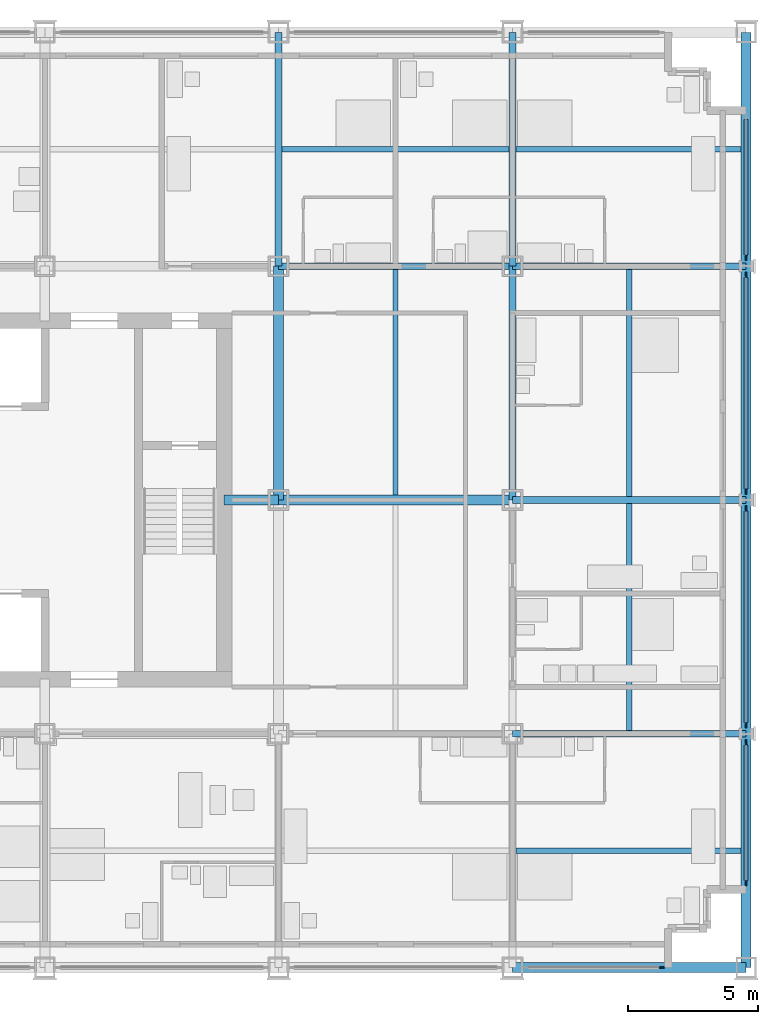
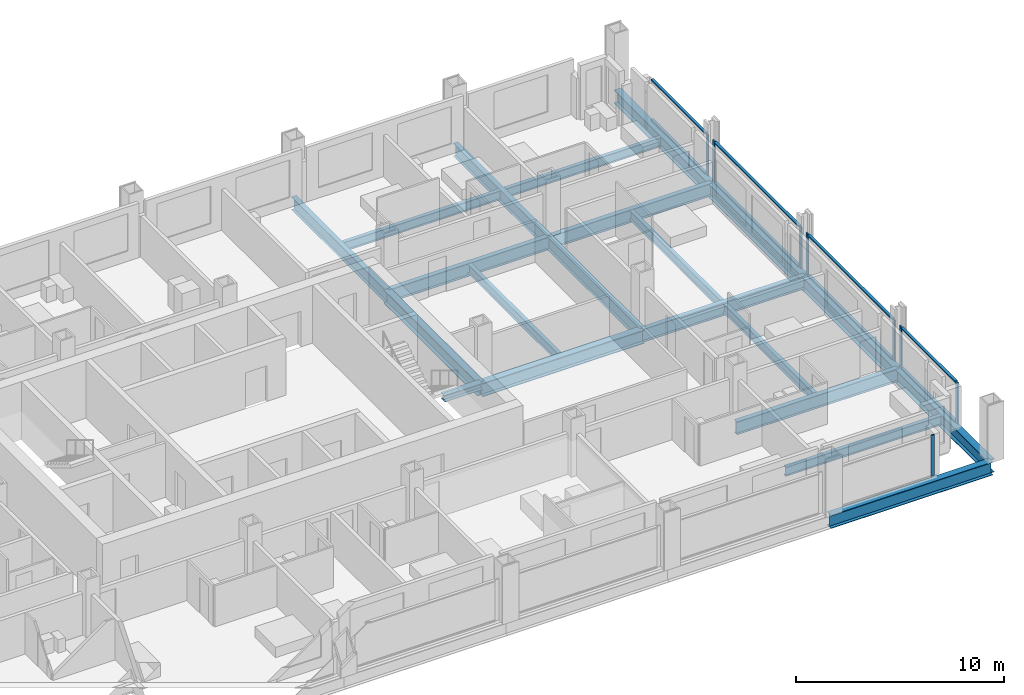
# One storey, part 6 of 18: 20 beams, 17 members, 5 elements without a shape of their own.
"""IFC4 building model written with IfcOpenShell, lengths in metres."""

from ifc_helpers import new_model, si_unit, direction, frame, origin, origin_2d, place, context, subcontext, project, spatial, rectangle, i_section, extrude, material, material_profile, profile_set, type_object, element, aggregate, save


model = new_model("IFC4")

# Units and contexts
model_context = context("Model", 3, precision=1e-05, world=origin(), true_north=direction((0.0, 1.0)))
body_context = subcontext(model_context, "Body", "Model", "MODEL_VIEW")
ifc_project = project(units=[si_unit("LENGTHUNIT", "METRE"), si_unit("AREAUNIT", "SQUARE_METRE"), si_unit("VOLUMEUNIT", "CUBIC_METRE"), si_unit("PLANEANGLEUNIT", "RADIAN"), si_unit("MASSUNIT", "GRAM", prefix="KILO")], contexts=[model_context])

# Site, building, storey
site_placement = place(None, origin())
site = spatial("IfcSite", under=ifc_project, at=site_placement, CompositionType="ELEMENT")
building_placement = place(site_placement, origin())
building = spatial("IfcBuilding", under=site, at=building_placement, Name="Loomwork Tower", CompositionType="ELEMENT")
storey_placement = place(building_placement, frame((0.0, 0.0, 65.39990234375)))
storey = spatial("IfcBuildingStorey", under=building, at=storey_placement, Name="L16", CompositionType="ELEMENT", Elevation=65.39990234375)

# Beams
ifc_material_1 = material(Name="Steel ASTM A992", Category="steel")
ifc_material_profile_1 = material_profile(ifc_material_1, i_section(OverallWidth=0.383544921875, OverallDepth=0.794921875, WebThickness=0.02099609375, FlangeThickness=0.0380859375, at=origin_2d()), Name="W30x235")
ifc_profile_set_1 = profile_set([ifc_material_profile_1], Name="Steel ASTM A992")
beam_type_1 = type_object("IfcBeamType", Name="CORE FLANK GIRDER W30x235", PredefinedType="BEAM", material=ifc_profile_set_1)
for number, where, z_axis, x_axis, name in (
    (1, (36.0, 18.0, -0.597412109375), (1.0, 0.0, 0.0), (0.0, 1.0, 0.0), "Core Flank Girder F/6-F/7 L16"),
    (2, (36.0, 18.0, -0.597412109375), (0.0, 1.0, 0.0), (-1.0, 0.0, 0.0), "Core Flank Girder F/6-G/6 L16"),
):
    element("IfcBeam", number, at=place(storey_placement, frame(where, z_axis=z_axis, x_axis=x_axis)), inside=storey, type_object=beam_type_1, Name=name, PredefinedType="BEAM", context=body_context, shape_type="SweptSolid", body=[
        extrude(i_section(OverallWidth=0.383544921875, OverallDepth=0.794921875, WebThickness=0.02099609375, FlangeThickness=0.0380859375, at=origin_2d()), origin(), (0.0, 0.0, 1.0), 9.0),
    ])

# Member
ifc_material_2 = material(Name="Steel ASTM A992", Category="steel")
ifc_material_profile_2 = material_profile(ifc_material_2, i_section(OverallWidth=0.373291015625, OverallDepth=0.373291015625, WebThickness=0.016357421875, FlangeThickness=0.026123046875, at=origin_2d()), Name="W14x132")
ifc_profile_set_2 = profile_set([ifc_material_profile_2], Name="Steel ASTM A992")
member_type_1 = type_object("IfcMemberType", Name="CORE LINK STRUT W14x132", PredefinedType="STRUT", material=ifc_profile_set_2)
member_1_placement = place(storey_placement, frame((36.0, 18.0, -0.386474609375), z_axis=(-1.0, 0.0, 0.0), x_axis=(0.0, -1.0, 0.0)))
element("IfcMember", 3, at=member_1_placement, inside=storey, type_object=member_type_1, Name="Core link strut F/6-33.900,18.000 L16", PredefinedType="STRUT", context=body_context, shape_type="SweptSolid", body=[
    extrude(i_section(OverallWidth=0.373291015625, OverallDepth=0.373291015625, WebThickness=0.016357421875, FlangeThickness=0.026123046875, at=origin_2d()), origin(), (0.0, 0.0, 1.0), 2.10009765625),
])

# Beams
ifc_material_3 = material(Name="Steel ASTM A992", Category="steel")
ifc_material_profile_3 = material_profile(ifc_material_3, i_section(OverallWidth=0.2666015625, OverallDepth=0.761962890625, WebThickness=0.014404296875, FlangeThickness=0.021484375, at=origin_2d()), Name="W30x116")
ifc_profile_set_3 = profile_set([ifc_material_profile_3], Name="Steel ASTM A992")
beam_type_2 = type_object("IfcBeamType", Name="FLOOR GIRDER W30x116", PredefinedType="BEAM", material=ifc_profile_set_3)
for number, where, z_axis, x_axis, name in (
    (4, (45.0, 9.0, -0.580810546875), (1.0, 0.0, 0.0), (0.0, 1.0, 0.0), "Floor Girder E/7-E/8 L16"),
    (5, (45.0, 18.0, -0.580810546875), (1.0, 0.0, 0.0), (0.0, 1.0, 0.0), "Floor Girder F/7-F/8 L16"),
    (6, (36.0, 27.0, -0.580810546875), (1.0, 0.0, 0.0), (0.0, 1.0, 0.0), "Floor Girder G/6-G/7 L16"),
    (7, (45.0, 27.0, -0.580810546875), (1.0, 0.0, 0.0), (0.0, 1.0, 0.0), "Floor Girder G/7-G/8 L16"),
    (8, (36.0, 27.0, -0.580810546875), (0.0, 1.0, 0.0), (-1.0, 0.0, 0.0), "Floor Girder G/6-H/6 L16"),
    (9, (45.0, 18.0, -0.580810546875), (0.0, 1.0, 0.0), (-1.0, 0.0, 0.0), "Floor Girder F/7-G/7 L16"),
    (10, (45.0, 27.0, -0.580810546875), (0.0, 1.0, 0.0), (-1.0, 0.0, 0.0), "Floor Girder G/7-H/7 L16"),
):
    element("IfcBeam", number, at=place(storey_placement, frame(where, z_axis=z_axis, x_axis=x_axis)), inside=storey, type_object=beam_type_2, Name=name, PredefinedType="BEAM", context=body_context, shape_type="SweptSolid", body=[
        extrude(i_section(OverallWidth=0.2666015625, OverallDepth=0.761962890625, WebThickness=0.014404296875, FlangeThickness=0.021484375, at=origin_2d()), origin(), (0.0, 0.0, 1.0), 9.0),
    ])
ifc_material_4 = material(Name="Steel ASTM A992", Category="steel")
ifc_material_profile_4 = material_profile(ifc_material_4, i_section(OverallWidth=0.2109375, OverallDepth=0.53857421875, WebThickness=0.011474609375, FlangeThickness=0.018798828125, at=origin_2d()), Name="W21x73")
ifc_profile_set_4 = profile_set([ifc_material_profile_4], Name="Steel ASTM A992")
beam_type_3 = type_object("IfcBeamType", Name="FLOOR JOIST W21x73", PredefinedType="JOIST", material=ifc_profile_set_4)
beam_1_placement = place(storey_placement, frame((40.5, 18.19091796875, -0.46923828125), z_axis=(0.0, 1.0, 0.0), x_axis=(-1.0, 0.0, 0.0)))
element("IfcBeam", 11, at=beam_1_placement, inside=storey, type_object=beam_type_3, Name="Floor Joist 40.500,18.000-40.500,27.000 L16", PredefinedType="JOIST", context=body_context, shape_type="SweptSolid", body=[
    extrude(i_section(OverallWidth=0.2109375, OverallDepth=0.53857421875, WebThickness=0.011474609375, FlangeThickness=0.018798828125, at=origin_2d()), origin(), (0.0, 0.0, 1.0), 8.676025390625),
])
beam_2_placement = place(storey_placement, frame((36.133056640625, 31.5, -0.46923828125), z_axis=(1.0, 0.0, 0.0), x_axis=(0.0, 1.0, 0.0)))
element("IfcBeam", 12, at=beam_2_placement, inside=storey, type_object=beam_type_3, Name="Floor Joist 36.000,31.500-45.000,31.500 L16", PredefinedType="JOIST", context=body_context, shape_type="SweptSolid", body=[
    extrude(i_section(OverallWidth=0.2109375, OverallDepth=0.53857421875, WebThickness=0.011474609375, FlangeThickness=0.018798828125, at=origin_2d()), origin(), (0.0, 0.0, 1.0), 8.73388671875),
])
beam_3_placement = place(storey_placement, frame((45.133056640625, 4.5, -0.46923828125), z_axis=(1.0, 0.0, 0.0), x_axis=(0.0, 1.0, 0.0)))
element("IfcBeam", 13, at=beam_3_placement, inside=storey, type_object=beam_type_3, Name="Floor Joist 45.000,4.500-54.000,4.500 L16", PredefinedType="JOIST", context=body_context, shape_type="SweptSolid", body=[
    extrude(i_section(OverallWidth=0.2109375, OverallDepth=0.53857421875, WebThickness=0.011474609375, FlangeThickness=0.018798828125, at=origin_2d()), origin(), (0.0, 0.0, 1.0), 8.677001953125),
])
for number, where, z_axis, x_axis, name in (
    (14, (49.5, 9.133056640625, -0.46923828125), (0.0, 1.0, 0.0), (-1.0, 0.0, 0.0), "Floor Joist 49.500,9.000-49.500,18.000 L16"),
    (15, (49.5, 18.133056640625, -0.46923828125), (0.0, 1.0, 0.0), (-1.0, 0.0, 0.0), "Floor Joist 49.500,18.000-49.500,27.000 L16"),
):
    element("IfcBeam", number, at=place(storey_placement, frame(where, z_axis=z_axis, x_axis=x_axis)), inside=storey, type_object=beam_type_3, Name=name, PredefinedType="JOIST", context=body_context, shape_type="SweptSolid", body=[
        extrude(i_section(OverallWidth=0.2109375, OverallDepth=0.53857421875, WebThickness=0.011474609375, FlangeThickness=0.018798828125, at=origin_2d()), origin(), (0.0, 0.0, 1.0), 8.73388671875),
    ])
beam_4_placement = place(storey_placement, frame((45.133056640625, 31.5, -0.46923828125), z_axis=(1.0, 0.0, 0.0), x_axis=(0.0, 1.0, 0.0)))
element("IfcBeam", 16, at=beam_4_placement, inside=storey, type_object=beam_type_3, Name="Floor Joist 45.000,31.500-54.000,31.500 L16", PredefinedType="JOIST", context=body_context, shape_type="SweptSolid", body=[
    extrude(i_section(OverallWidth=0.2109375, OverallDepth=0.53857421875, WebThickness=0.011474609375, FlangeThickness=0.018798828125, at=origin_2d()), origin(), (0.0, 0.0, 1.0), 8.677001953125),
])

# Curtain wall, member
ifc_material_5 = material(Name="Aluminium curtain wall frame", Category="aluminium")
curtain_wall_type = type_object("IfcCurtainWallType", Name="Outer skin glazing hotel", PredefinedType="NOTDEFINED", material=ifc_material_5)
curtain_wall_1_placement = place(storey_placement, origin())
curtain_wall_1 = element("IfcCurtainWall", 17, at=curtain_wall_1_placement, inside=storey, type_object=curtain_wall_type, Name="Outer skin glazing hotel cw/S-45", PredefinedType="NOTDEFINED")
ifc_material_6 = material(Name="Aluminium curtain wall frame", Category="aluminium")
ifc_material_profile_5 = material_profile(ifc_material_6, rectangle(XDim=0.06494140625, YDim=0.199951171875, at=origin_2d()), Name="AL 65x200")
ifc_profile_set_5 = profile_set([ifc_material_profile_5], Name="Aluminium curtain wall frame")
member_type_2 = type_object("IfcMemberType", Name="Outer skin glazing hotel mullion", PredefinedType="MULLION", material=ifc_profile_set_5)
member_2_placement = place(storey_placement, frame((50.75, 0.0, 0.0), z_axis=(0.0, 0.0, 1.0), x_axis=(0.0, 1.0, 0.0)))
member_2 = element("IfcMember", 18, at=member_2_placement, type_object=member_type_2, Name="CW1 mullion 2", PredefinedType="MULLION", context=body_context, shape_type="SweptSolid", body=[
    extrude(rectangle(XDim=0.06494140625, YDim=0.199951171875, at=origin_2d()), origin(), (0.0, 0.0, 1.0), 2.42041015625),
])
aggregate(curtain_wall_1, [member_2])

# Curtain wall, members
curtain_wall_2_placement = place(storey_placement, origin())
curtain_wall_2 = element("IfcCurtainWall", 19, at=curtain_wall_2_placement, inside=storey, type_object=curtain_wall_type, Name="Outer skin glazing hotel cw/E-0", PredefinedType="NOTDEFINED")
member_3_placement = place(storey_placement, frame((54.0, 3.25, 0.0), z_axis=(0.0, 0.0, 1.0), x_axis=(-1.0, 0.0, 0.0)))
member_3 = element("IfcMember", 20, at=member_3_placement, type_object=member_type_2, Name="CW1 mullion 1", PredefinedType="MULLION", context=body_context, shape_type="SweptSolid", body=[
    extrude(rectangle(XDim=0.06494140625, YDim=0.199951171875, at=origin_2d()), origin(), (0.0, 0.0, 1.0), 2.42041015625),
])
member_4_placement = place(storey_placement, frame((54.0, 8.672607421875, 0.0), z_axis=(0.0, 0.0, 1.0), x_axis=(-1.0, 0.0, 0.0)))
member_4 = element("IfcMember", 21, at=member_4_placement, type_object=member_type_2, Name="CW1 mullion 2", PredefinedType="MULLION", context=body_context, shape_type="SweptSolid", body=[
    extrude(rectangle(XDim=0.06494140625, YDim=0.199951171875, at=origin_2d()), origin(), (0.0, 0.0, 1.0), 2.42041015625),
])

curtain_wall_3_placement = place(storey_placement, origin())
curtain_wall_3 = element("IfcCurtainWall", 22, at=curtain_wall_3_placement, inside=storey, type_object=curtain_wall_type, Name="Outer skin glazing hotel cw/E-9", PredefinedType="NOTDEFINED")
member_5_placement = place(storey_placement, frame((54.0, 9.327392578125, 0.0), z_axis=(0.0, 0.0, 1.0), x_axis=(-1.0, 0.0, 0.0)))
member_5 = element("IfcMember", 23, at=member_5_placement, type_object=member_type_2, Name="CW1 mullion 1", PredefinedType="MULLION", context=body_context, shape_type="SweptSolid", body=[
    extrude(rectangle(XDim=0.06494140625, YDim=0.199951171875, at=origin_2d()), origin(), (0.0, 0.0, 1.0), 2.42041015625),
])
member_6_placement = place(storey_placement, frame((54.0, 17.672607421875, 0.0), z_axis=(0.0, 0.0, 1.0), x_axis=(-1.0, 0.0, 0.0)))
member_6 = element("IfcMember", 24, at=member_6_placement, type_object=member_type_2, Name="CW1 mullion 2", PredefinedType="MULLION", context=body_context, shape_type="SweptSolid", body=[
    extrude(rectangle(XDim=0.06494140625, YDim=0.199951171875, at=origin_2d()), origin(), (0.0, 0.0, 1.0), 2.42041015625),
])

curtain_wall_4_placement = place(storey_placement, origin())
curtain_wall_4 = element("IfcCurtainWall", 25, at=curtain_wall_4_placement, inside=storey, type_object=curtain_wall_type, Name="Outer skin glazing hotel cw/E-18", PredefinedType="NOTDEFINED")
member_7_placement = place(storey_placement, frame((54.0, 18.327392578125, 0.0), z_axis=(0.0, 0.0, 1.0), x_axis=(-1.0, 0.0, 0.0)))
member_7 = element("IfcMember", 26, at=member_7_placement, type_object=member_type_2, Name="CW1 mullion 1", PredefinedType="MULLION", context=body_context, shape_type="SweptSolid", body=[
    extrude(rectangle(XDim=0.06494140625, YDim=0.199951171875, at=origin_2d()), origin(), (0.0, 0.0, 1.0), 2.42041015625),
])
member_8_placement = place(storey_placement, frame((54.0, 26.672607421875, 0.0), z_axis=(0.0, 0.0, 1.0), x_axis=(-1.0, 0.0, 0.0)))
member_8 = element("IfcMember", 27, at=member_8_placement, type_object=member_type_2, Name="CW1 mullion 2", PredefinedType="MULLION", context=body_context, shape_type="SweptSolid", body=[
    extrude(rectangle(XDim=0.06494140625, YDim=0.199951171875, at=origin_2d()), origin(), (0.0, 0.0, 1.0), 2.42041015625),
])

# Curtain wall, member
curtain_wall_5_placement = place(storey_placement, origin())
curtain_wall_5 = element("IfcCurtainWall", 28, at=curtain_wall_5_placement, inside=storey, type_object=curtain_wall_type, Name="Outer skin glazing hotel cw/E-27", PredefinedType="NOTDEFINED")
member_9_placement = place(storey_placement, frame((54.0, 27.327392578125, 0.0), z_axis=(0.0, 0.0, 1.0), x_axis=(-1.0, 0.0, 0.0)))
member_9 = element("IfcMember", 29, at=member_9_placement, type_object=member_type_2, Name="CW1 mullion 1", PredefinedType="MULLION", context=body_context, shape_type="SweptSolid", body=[
    extrude(rectangle(XDim=0.06494140625, YDim=0.199951171875, at=origin_2d()), origin(), (0.0, 0.0, 1.0), 2.42041015625),
])

# Member
ifc_material_7 = material(Name="Aluminium curtain wall frame", Category="aluminium")
ifc_material_profile_6 = material_profile(ifc_material_7, rectangle(XDim=0.14990234375, YDim=0.06494140625, at=origin_2d()), Name="AL 65x150")
ifc_profile_set_6 = profile_set([ifc_material_profile_6], Name="Aluminium curtain wall frame")
member_type_3 = type_object("IfcMemberType", Name="Outer skin glazing hotel transom", PredefinedType="USERDEFINED", material=ifc_profile_set_6)
member_10_placement = place(storey_placement, frame((54.0, 3.35009765625, 0.03271484375), z_axis=(0.0, 1.0, 0.0), x_axis=(-1.0, 0.0, 0.0)))
member_10 = element("IfcMember", 30, at=member_10_placement, type_object=member_type_3, Name="CW1 transom 1.1", ObjectType="TRANSOM", PredefinedType="USERDEFINED", context=body_context, shape_type="SweptSolid", body=[
    extrude(rectangle(XDim=0.14990234375, YDim=0.06494140625, at=origin_2d()), origin(), (0.0, 0.0, 1.0), 5.22265625),
])

member_11_placement = place(storey_placement, frame((54.0, 3.35009765625, 2.3876953125), z_axis=(0.0, 1.0, 0.0), x_axis=(-1.0, 0.0, 0.0)))
member_11 = element("IfcMember", 31, at=member_11_placement, type_object=member_type_3, Name="CW1 transom 1.2", ObjectType="TRANSOM", PredefinedType="USERDEFINED", context=body_context, shape_type="SweptSolid", body=[
    extrude(rectangle(XDim=0.14990234375, YDim=0.06494140625, at=origin_2d()), origin(), (0.0, 0.0, 1.0), 5.22265625),
])

aggregate(curtain_wall_2, [member_3, member_4, member_10, member_11])

member_12_placement = place(storey_placement, frame((54.0, 9.42724609375, 0.03271484375), z_axis=(0.0, 1.0, 0.0), x_axis=(-1.0, 0.0, 0.0)))
member_12 = element("IfcMember", 32, at=member_12_placement, type_object=member_type_3, Name="CW1 transom 1.1", ObjectType="TRANSOM", PredefinedType="USERDEFINED", context=body_context, shape_type="SweptSolid", body=[
    extrude(rectangle(XDim=0.14990234375, YDim=0.06494140625, at=origin_2d()), origin(), (0.0, 0.0, 1.0), 8.1455078125),
])

member_13_placement = place(storey_placement, frame((54.0, 9.42724609375, 2.3876953125), z_axis=(0.0, 1.0, 0.0), x_axis=(-1.0, 0.0, 0.0)))
member_13 = element("IfcMember", 33, at=member_13_placement, type_object=member_type_3, Name="CW1 transom 1.2", ObjectType="TRANSOM", PredefinedType="USERDEFINED", context=body_context, shape_type="SweptSolid", body=[
    extrude(rectangle(XDim=0.14990234375, YDim=0.06494140625, at=origin_2d()), origin(), (0.0, 0.0, 1.0), 8.1455078125),
])

aggregate(curtain_wall_3, [member_5, member_6, member_12, member_13])

member_14_placement = place(storey_placement, frame((54.0, 18.42724609375, 0.03271484375), z_axis=(0.0, 1.0, 0.0), x_axis=(-1.0, 0.0, 0.0)))
member_14 = element("IfcMember", 34, at=member_14_placement, type_object=member_type_3, Name="CW1 transom 1.1", ObjectType="TRANSOM", PredefinedType="USERDEFINED", context=body_context, shape_type="SweptSolid", body=[
    extrude(rectangle(XDim=0.14990234375, YDim=0.06494140625, at=origin_2d()), origin(), (0.0, 0.0, 1.0), 8.1455078125),
])

member_15_placement = place(storey_placement, frame((54.0, 18.42724609375, 2.3876953125), z_axis=(0.0, 1.0, 0.0), x_axis=(-1.0, 0.0, 0.0)))
member_15 = element("IfcMember", 35, at=member_15_placement, type_object=member_type_3, Name="CW1 transom 1.2", ObjectType="TRANSOM", PredefinedType="USERDEFINED", context=body_context, shape_type="SweptSolid", body=[
    extrude(rectangle(XDim=0.14990234375, YDim=0.06494140625, at=origin_2d()), origin(), (0.0, 0.0, 1.0), 8.1455078125),
])

aggregate(curtain_wall_4, [member_7, member_8, member_14, member_15])

member_16_placement = place(storey_placement, frame((54.0, 27.42724609375, 0.03271484375), z_axis=(0.0, 1.0, 0.0), x_axis=(-1.0, 0.0, 0.0)))
member_16 = element("IfcMember", 36, at=member_16_placement, type_object=member_type_3, Name="CW1 transom 1.1", ObjectType="TRANSOM", PredefinedType="USERDEFINED", context=body_context, shape_type="SweptSolid", body=[
    extrude(rectangle(XDim=0.14990234375, YDim=0.06494140625, at=origin_2d()), origin(), (0.0, 0.0, 1.0), 5.22265625),
])

member_17_placement = place(storey_placement, frame((54.0, 27.42724609375, 2.3876953125), z_axis=(0.0, 1.0, 0.0), x_axis=(-1.0, 0.0, 0.0)))
member_17 = element("IfcMember", 37, at=member_17_placement, type_object=member_type_3, Name="CW1 transom 1.2", ObjectType="TRANSOM", PredefinedType="USERDEFINED", context=body_context, shape_type="SweptSolid", body=[
    extrude(rectangle(XDim=0.14990234375, YDim=0.06494140625, at=origin_2d()), origin(), (0.0, 0.0, 1.0), 5.22265625),
])

aggregate(curtain_wall_5, [member_9, member_16, member_17])

# Beams
ifc_material_8 = material(Name="Steel ASTM A992", Category="steel")
ifc_material_profile_7 = material_profile(ifc_material_8, i_section(OverallWidth=0.381103515625, OverallDepth=0.77978515625, WebThickness=0.01806640625, FlangeThickness=0.0302734375, at=origin_2d()), Name="W30x191")
ifc_profile_set_7 = profile_set([ifc_material_profile_7], Name="Steel ASTM A992")
beam_type_4 = type_object("IfcBeamType", Name="SPANDREL GIRDER W30x191", PredefinedType="SPANDREL", material=ifc_profile_set_7)
for number, where, z_axis, x_axis, name in (
    (38, (45.0, 0.0, -0.58984375), (1.0, 0.0, 0.0), (0.0, 1.0, 0.0), "Spandrel Girder D/7-D/8 L16"),
    (39, (54.0, 0.0, -0.58984375), (0.0, 1.0, 0.0), (-1.0, 0.0, 0.0), "Spandrel Girder D/8-E/8 L16"),
    (40, (54.0, 9.0, -0.58984375), (0.0, 1.0, 0.0), (-1.0, 0.0, 0.0), "Spandrel Girder E/8-F/8 L16"),
    (41, (54.0, 18.0, -0.58984375), (0.0, 1.0, 0.0), (-1.0, 0.0, 0.0), "Spandrel Girder F/8-G/8 L16"),
    (42, (54.0, 27.0, -0.58984375), (0.0, 1.0, 0.0), (-1.0, 0.0, 0.0), "Spandrel Girder G/8-H/8 L16"),
):
    element("IfcBeam", number, at=place(storey_placement, frame(where, z_axis=z_axis, x_axis=x_axis)), inside=storey, type_object=beam_type_4, Name=name, PredefinedType="SPANDREL", context=body_context, shape_type="SweptSolid", body=[
        extrude(i_section(OverallWidth=0.381103515625, OverallDepth=0.77978515625, WebThickness=0.01806640625, FlangeThickness=0.0302734375, at=origin_2d()), origin(), (0.0, 0.0, 1.0), 9.0),
    ])

save(model, "model.ifc")
